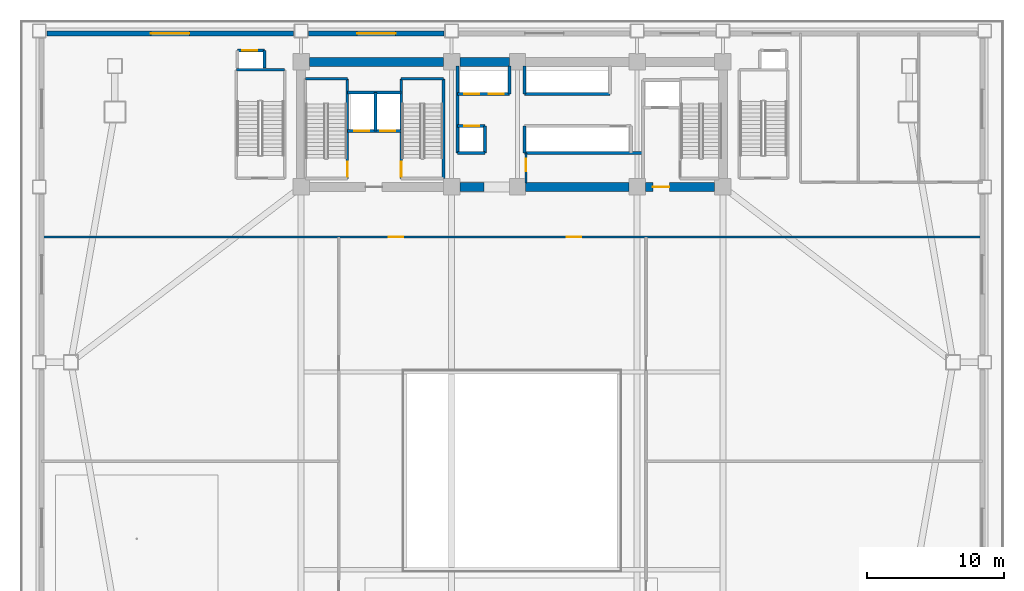
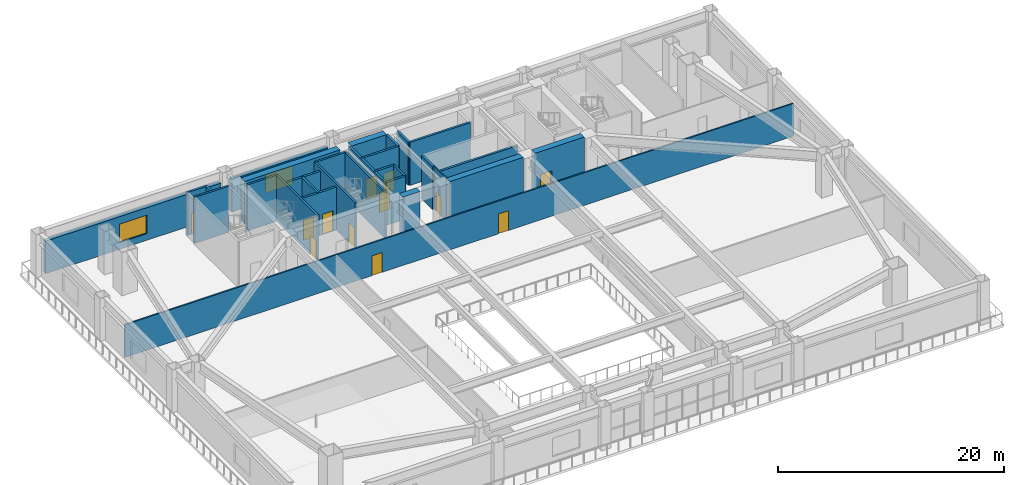
# One storey, part 7 of 14: 30 walls, 12 doors, 2 windows, 14 openings.
"""IFC4 building model written with IfcOpenShell, lengths in metres."""

from ifc_helpers import new_model, si_unit, direction, frame, frame_2d, origin, place, context, subcontext, project, spatial, rectangle, extrude, source, transform, mapped, material, layer, layer_set, type_object, element, fill, save


model = new_model("IFC4")

# Units and contexts
model_context = context("Model", 3, precision=1e-05, world=origin(), true_north=direction((0.0, 1.0)))
body_context = subcontext(model_context, "Body", "Model", "MODEL_VIEW")
ifc_project = project(units=[si_unit("LENGTHUNIT", "METRE"), si_unit("AREAUNIT", "SQUARE_METRE"), si_unit("VOLUMEUNIT", "CUBIC_METRE"), si_unit("PLANEANGLEUNIT", "RADIAN"), si_unit("MASSUNIT", "GRAM", prefix="KILO")], contexts=[model_context])

# Site, building, storey
site_placement = place(None, origin())
site = spatial("IfcSite", under=ifc_project, at=site_placement, CompositionType="ELEMENT")
building_placement = place(site_placement, origin())
building = spatial("IfcBuilding", under=site, at=building_placement, Name="Giltprow Tower", CompositionType="ELEMENT")
storey_placement = place(building_placement, frame((0.0, 0.0, 15.199951171875)))
storey = spatial("IfcBuildingStorey", under=building, at=storey_placement, Name="L04", CompositionType="ELEMENT", Elevation=15.199951171875)

# Wall, opening, window
ifc_material_1 = material(Name="Precast concrete C40", Category="concrete")
ifc_layer_1 = layer(ifc_material_1, 0.360107421875, Name="Precast concrete C40")
ifc_layer_set_1 = layer_set([ifc_layer_1], Name="Precast concrete C40")
wall_type_1 = type_object("IfcWallType", Name="EW-POD-STONE-360", PredefinedType="SOLIDWALL", material=ifc_layer_set_1)
wall_1_placement = place(storey_placement, frame((1.35009765625, 48.6201171875, 0.0), z_axis=(0.0, 0.0, 1.0), x_axis=(1.0, 0.0, 0.0)))
wall_1 = element("IfcWall", 1, at=wall_1_placement, inside=storey, type_object=wall_type_1, Name="L04 North Podium Masonry Wall 1", PredefinedType="SOLIDWALL", context=body_context, shape_type="SweptSolid", body=[
    extrude(rectangle(XDim=17.949951171875, YDim=0.360107421875, at=frame_2d((8.97509765625, 0.0))), origin(), (0.0, 0.0, 1.0), 3.530029296875),
])
opening_1_placement = place(wall_1_placement, frame((7.574951171875, 0.0, 0.719970703125)))
opening_1 = element("IfcOpeningElement", 2, at=opening_1_placement, cuts=wall_1, Name="Opening WN31", PredefinedType="OPENING", context=body_context, shape_type="SweptSolid", body=[
    extrude(rectangle(XDim=2.800048828125, YDim=2.0, at=frame_2d((1.39990234375, 1.0))), frame((0.0, 0.18994140625, 0.0), z_axis=(0.0, -1.0, 0.0), x_axis=(1.0, 0.0, 0.0)), (0.0, 0.0, 1.0), 0.380126953125),
])
ifc_material_2 = material(Name="Insulated glass", Category="glass")
window_type = type_object("IfcWindowType", Name="WN-POD-2800x2000", PartitioningType="SINGLE_PANEL", PredefinedType="WINDOW", material=ifc_material_2)
shared_shape_1 = source(origin(), body_context, "Body", "SweptSolid", [
    extrude(rectangle(XDim=2.800048828125, YDim=2.0, at=frame_2d((1.39990234375, 1.0))), frame((0.0, 0.030029296875, 0.0), z_axis=(0.0, -1.0, 0.0), x_axis=(1.0, 0.0, 0.0)), (0.0, 0.0, 1.0), 0.06005859375),
])
window_1_placement = place(opening_1_placement, origin())
window_1 = element("IfcWindow", 3, at=window_1_placement, inside=storey, type_object=window_type, Name="L04 Podium North Window 1", OverallHeight=2.0, OverallWidth=2.800048828125, PartitioningType="SINGLE_PANEL", PredefinedType="WINDOW", context=body_context, shape_type="MappedRepresentation", body=[
    mapped(shared_shape_1, transform((0.0, 0.0, 0.0), x_axis=(1.0, 0.0, 0.0), y_axis=(0.0, 1.0, 0.0), z_axis=(0.0, 0.0, 1.0), scale=1.0)),
])
fill(opening_1, window_1)

wall_2_placement = place(storey_placement, frame((20.39990234375, 48.6201171875, 0.0), z_axis=(0.0, 0.0, 1.0), x_axis=(1.0, 0.0, 0.0)))
wall_2 = element("IfcWall", 4, at=wall_2_placement, inside=storey, type_object=wall_type_1, Name="L04 North Podium Masonry Wall 2", PredefinedType="SOLIDWALL", context=body_context, shape_type="SweptSolid", body=[
    extrude(rectangle(XDim=9.85009765625, YDim=0.360107421875, at=frame_2d((4.925048828125, 0.0))), origin(), (0.0, 0.0, 1.0), 3.530029296875),
])
opening_2_placement = place(wall_2_placement, frame((3.52490234375, 0.0, 0.719970703125)))
opening_2 = element("IfcOpeningElement", 5, at=opening_2_placement, cuts=wall_2, Name="Opening WN31", PredefinedType="OPENING", context=body_context, shape_type="SweptSolid", body=[
    extrude(rectangle(XDim=2.800048828125, YDim=2.0, at=frame_2d((1.39990234375, 1.0))), frame((0.0, 0.18994140625, 0.0), z_axis=(0.0, -1.0, 0.0), x_axis=(1.0, 0.0, 0.0)), (0.0, 0.0, 1.0), 0.380126953125),
])
window_2_placement = place(opening_2_placement, origin())
window_2 = element("IfcWindow", 6, at=window_2_placement, inside=storey, type_object=window_type, Name="L04 Podium North Window 2", OverallHeight=2.0, OverallWidth=2.800048828125, PartitioningType="SINGLE_PANEL", PredefinedType="WINDOW", context=body_context, shape_type="MappedRepresentation", body=[
    mapped(shared_shape_1, transform((0.0, 0.0, 0.0), x_axis=(1.0, 0.0, 0.0), y_axis=(0.0, 1.0, 0.0), z_axis=(0.0, 0.0, 1.0), scale=1.0)),
])
fill(opening_2, window_2)

# Wall, openings, doors
ifc_material_3 = material(Name="Gypsum stud partition", Category="gypsum")
ifc_layer_2 = layer(ifc_material_3, 0.14990234375, Name="Gypsum stud partition")
ifc_layer_set_2 = layer_set([ifc_layer_2], Name="Gypsum stud partition")
wall_type_2 = type_object("IfcWallType", Name="IW-CORR-150", PredefinedType="PARTITIONING", material=ifc_layer_set_2)
wall_3_placement = place(storey_placement, frame((0.97998046875, 33.800048828125, 0.0), z_axis=(0.0, 0.0, 1.0), x_axis=(1.0, 0.0, 0.0)))
wall_3 = element("IfcWall", 7, at=wall_3_placement, inside=storey, type_object=wall_type_2, Name="L04 Podium North Concourse Wall", PredefinedType="PARTITIONING", context=body_context, shape_type="SweptSolid", body=[
    extrude(rectangle(XDim=68.43994140625, YDim=0.14990234375, at=frame_2d((34.219970703125, 0.0))), origin(), (0.0, 0.0, 1.0), 3.53515625),
])
opening_3_placement = place(wall_3_placement, frame((25.27001953125, 0.0, 0.0)))
opening_3 = element("IfcOpeningElement", 8, at=opening_3_placement, cuts=wall_3, Name="Opening ID31", PredefinedType="OPENING", context=body_context, shape_type="SweptSolid", body=[
    extrude(rectangle(XDim=1.050048828125, YDim=2.14990234375, at=frame_2d((0.52490234375, 1.074951171875))), frame((0.0, 0.0849609375, 0.0), z_axis=(0.0, -1.0, 0.0), x_axis=(1.0, 0.0, 0.0)), (0.0, 0.0, 1.0), 0.169921875),
])
opening_4_placement = place(wall_3_placement, frame((38.219970703125, 0.0, 0.0)))
opening_4 = element("IfcOpeningElement", 9, at=opening_4_placement, cuts=wall_3, Name="Opening ID31", PredefinedType="OPENING", context=body_context, shape_type="SweptSolid", body=[
    extrude(rectangle(XDim=1.050048828125, YDim=2.14990234375, at=frame_2d((0.52490234375, 1.074951171875))), frame((0.0, 0.0849609375, 0.0), z_axis=(0.0, -1.0, 0.0), x_axis=(1.0, 0.0, 0.0)), (0.0, 0.0, 1.0), 0.169921875),
])
ifc_material_4 = material(Name="Engineered timber", Category="wood")
door_type_1 = type_object("IfcDoorType", Name="DR-SUITE-1050", OperationType="SINGLE_SWING_LEFT", PredefinedType="DOOR", material=ifc_material_4)
shared_shape_2 = source(origin(), body_context, "Body", "SweptSolid", [
    extrude(rectangle(XDim=1.050048828125, YDim=2.14990234375, at=frame_2d((0.52490234375, 1.074951171875))), frame((0.0, 0.02490234375, 0.0), z_axis=(0.0, -1.0, 0.0), x_axis=(1.0, 0.0, 0.0)), (0.0, 0.0, 1.0), 0.050048828125),
])
door_1_placement = place(opening_3_placement, origin())
door_1 = element("IfcDoor", 10, at=door_1_placement, inside=storey, type_object=door_type_1, Name="L04 Atrium Concourse North-West Fire Door", OperationType="SINGLE_SWING_RIGHT", OverallHeight=2.14990234375, OverallWidth=1.050048828125, PredefinedType="DOOR", context=body_context, shape_type="MappedRepresentation", body=[
    mapped(shared_shape_2, transform((0.0, 0.0, 0.0), x_axis=(1.0, 0.0, 0.0), y_axis=(0.0, 1.0, 0.0), z_axis=(0.0, 0.0, 1.0), scale=1.0)),
])
fill(opening_3, door_1)
door_2_placement = place(opening_4_placement, origin())
door_2 = element("IfcDoor", 11, at=door_2_placement, inside=storey, type_object=door_type_1, Name="L04 Atrium Concourse North-East Fire Door", OperationType="SINGLE_SWING_LEFT", OverallHeight=2.14990234375, OverallWidth=1.050048828125, PredefinedType="DOOR", context=body_context, shape_type="MappedRepresentation", body=[
    mapped(shared_shape_2, transform((0.0, 0.0, 0.0), x_axis=(1.0, 0.0, 0.0), y_axis=(0.0, 1.0, 0.0), z_axis=(0.0, 0.0, 1.0), scale=1.0)),
])
fill(opening_4, door_2)

ifc_material_5 = material(Name="Concrete C40", Category="concrete")
ifc_layer_3 = layer(ifc_material_5, 0.219970703125, Name="Concrete C40")
ifc_layer_set_3 = layer_set([ifc_layer_3], Name="Concrete C40")
wall_type_3 = type_object("IfcWallType", Name="IW-SHAFT-220", PredefinedType="SOLIDWALL", material=ifc_layer_set_3)
wall_4_placement = place(storey_placement, frame((23.219970703125, 41.52001953125, 0.0), z_axis=(0.0, 0.0, 1.0), x_axis=(1.0, 0.0, 0.0)))
wall_4 = element("IfcWall", 12, at=wall_4_placement, inside=storey, type_object=wall_type_3, Name="L04 FFL1 and Service Lift Front Wall", PredefinedType="SOLIDWALL", context=body_context, shape_type="SweptSolid", body=[
    extrude(rectangle(XDim=3.919921875, YDim=0.219970703125, at=frame_2d((1.9599609375, 0.0))), origin(), (0.0, 0.0, 1.0), 4.650146484375),
])
opening_5_placement = place(wall_4_placement, frame((0.5, 0.0, 0.0)))
opening_5 = element("IfcOpeningElement", 13, at=opening_5_placement, cuts=wall_4, Name="Opening LD-11", PredefinedType="OPENING", context=body_context, shape_type="SweptSolid", body=[
    extrude(rectangle(XDim=1.10009765625, YDim=2.199951171875, at=frame_2d((0.550048828125, 1.10009765625))), frame((0.0, 0.119873046875, 0.0), z_axis=(0.0, -1.0, 0.0), x_axis=(1.0, 0.0, 0.0)), (0.0, 0.0, 1.0), 0.239990234375),
])
opening_6_placement = place(wall_4_placement, frame((2.39990234375, 0.0, 0.0)))
opening_6 = element("IfcOpeningElement", 14, at=opening_6_placement, cuts=wall_4, Name="Opening LD-11", PredefinedType="OPENING", context=body_context, shape_type="SweptSolid", body=[
    extrude(rectangle(XDim=1.10009765625, YDim=2.199951171875, at=frame_2d((0.550048828125, 1.10009765625))), frame((0.0, 0.119873046875, 0.0), z_axis=(0.0, -1.0, 0.0), x_axis=(1.0, 0.0, 0.0)), (0.0, 0.0, 1.0), 0.239990234375),
])
ifc_material_6 = material(Name="Stainless steel", Category="steel")
door_type_2 = type_object("IfcDoorType", Name="DR-LIFT-LD1100", OperationType="SLIDING_TO_LEFT", PredefinedType="DOOR", material=ifc_material_6)
shared_shape_3 = source(origin(), body_context, "Body", "SweptSolid", [
    extrude(rectangle(XDim=1.10009765625, YDim=2.199951171875, at=frame_2d((0.550048828125, 1.10009765625))), frame((0.0, 0.02490234375, 0.0), z_axis=(0.0, -1.0, 0.0), x_axis=(1.0, 0.0, 0.0)), (0.0, 0.0, 1.0), 0.050048828125),
])
door_3_placement = place(opening_5_placement, origin())
door_3 = element("IfcDoor", 15, at=door_3_placement, inside=storey, type_object=door_type_2, Name="L04 FFL1 Landing Door", OperationType="SLIDING_TO_LEFT", OverallHeight=2.199951171875, OverallWidth=1.10009765625, PredefinedType="DOOR", context=body_context, shape_type="MappedRepresentation", body=[
    mapped(shared_shape_3, transform((0.0, 0.0, 0.0), x_axis=(1.0, 0.0, 0.0), y_axis=(0.0, 1.0, 0.0), z_axis=(0.0, 0.0, 1.0), scale=1.0)),
])
fill(opening_5, door_3)
door_4_placement = place(opening_6_placement, origin())
door_4 = element("IfcDoor", 16, at=door_4_placement, inside=storey, type_object=door_type_2, Name="L04 SVL1 Landing Door", OperationType="SLIDING_TO_LEFT", OverallHeight=2.199951171875, OverallWidth=1.10009765625, PredefinedType="DOOR", context=body_context, shape_type="MappedRepresentation", body=[
    mapped(shared_shape_3, transform((0.0, 0.0, 0.0), x_axis=(1.0, 0.0, 0.0), y_axis=(0.0, 1.0, 0.0), z_axis=(0.0, 0.0, 1.0), scale=1.0)),
])
fill(opening_6, door_4)

# Walls
wall_5_placement = place(storey_placement, frame((25.260009765625, 41.52001953125, 0.0), z_axis=(0.0, 0.0, 1.0), x_axis=(0.0, 1.0, 0.0)))
element("IfcWall", 17, at=wall_5_placement, inside=storey, type_object=wall_type_3, Name="L04 FFL1-SVL1 Shaft Divider", PredefinedType="SOLIDWALL", context=body_context, shape_type="SweptSolid", body=[
    extrude(rectangle(XDim=2.800048828125, YDim=0.219970703125, at=frame_2d((1.39990234375, 0.0))), origin(), (0.0, 0.0, 1.0), 4.650146484375),
])
wall_6_placement = place(storey_placement, frame((23.219970703125, 44.320068359375, 0.0), z_axis=(0.0, 0.0, 1.0), x_axis=(1.0, 0.0, 0.0)))
element("IfcWall", 18, at=wall_6_placement, inside=storey, type_object=wall_type_3, Name="L04 FFL1-SVL1 Back Shaft Wall", PredefinedType="SOLIDWALL", context=body_context, shape_type="SweptSolid", body=[
    extrude(rectangle(XDim=3.919921875, YDim=0.219970703125, at=frame_2d((1.9599609375, 0.0))), origin(), (0.0, 0.0, 1.0), 4.650146484375),
])

# Wall, opening, door
wall_7_placement = place(storey_placement, frame((15.22998046875, 47.3798828125, 0.0), z_axis=(0.0, 0.0, 1.0), x_axis=(1.0, 0.0, 0.0)))
wall_7 = element("IfcWall", 19, at=wall_7_placement, inside=storey, type_object=wall_type_3, Name="L04 PL-P1 Front Wall", PredefinedType="SOLIDWALL", context=body_context, shape_type="SweptSolid", body=[
    extrude(rectangle(XDim=1.9599609375, YDim=0.219970703125, at=frame_2d((0.97998046875, 0.0))), origin(), (0.0, 0.0, 1.0), 4.650146484375),
])
opening_7_placement = place(wall_7_placement, frame((0.35009765625, 0.0, 0.0)))
opening_7 = element("IfcOpeningElement", 20, at=opening_7_placement, cuts=wall_7, Name="Opening LD-11", PredefinedType="OPENING", context=body_context, shape_type="SweptSolid", body=[
    extrude(rectangle(XDim=1.10009765625, YDim=2.199951171875, at=frame_2d((0.550048828125, 1.10009765625))), frame((0.0, 0.119873046875, 0.0), z_axis=(0.0, -1.0, 0.0), x_axis=(1.0, 0.0, 0.0)), (0.0, 0.0, 1.0), 0.239990234375),
])
door_5_placement = place(opening_7_placement, origin())
door_5 = element("IfcDoor", 21, at=door_5_placement, inside=storey, type_object=door_type_2, Name="L04 PL-P1 Landing Door", OperationType="SLIDING_TO_LEFT", OverallHeight=2.199951171875, OverallWidth=1.10009765625, PredefinedType="DOOR", context=body_context, shape_type="MappedRepresentation", body=[
    mapped(shared_shape_3, transform((0.0, 0.0, 0.0), x_axis=(1.0, 0.0, 0.0), y_axis=(0.0, 1.0, 0.0), z_axis=(0.0, 0.0, 1.0), scale=1.0)),
])
fill(opening_7, door_5)

# Wall
wall_8_placement = place(storey_placement, frame((17.18994140625, 46.090087890625, 0.0), z_axis=(0.0, 0.0, 1.0), x_axis=(0.0, 1.0, 0.0)))
element("IfcWall", 22, at=wall_8_placement, inside=storey, type_object=wall_type_3, Name="L04 PL-P1 East Shaft Wall", PredefinedType="SOLIDWALL", context=body_context, shape_type="SweptSolid", body=[
    extrude(rectangle(XDim=1.289794921875, YDim=0.219970703125, at=frame_2d((0.64501953125, 0.0))), origin(), (0.0, 0.0, 1.0), 4.650146484375),
])

# Wall, openings, doors
wall_9_placement = place(storey_placement, frame((31.25, 44.219970703125, 0.0), z_axis=(0.0, 0.0, 1.0), x_axis=(1.0, 0.0, 0.0)))
wall_9 = element("IfcWall", 23, at=wall_9_placement, inside=storey, type_object=wall_type_3, Name="L04 North West Lift Shaft Front Wall", PredefinedType="SOLIDWALL", context=body_context, shape_type="SweptSolid", body=[
    extrude(rectangle(XDim=3.77001953125, YDim=0.219970703125, at=frame_2d((1.885009765625, 0.0))), origin(), (0.0, 0.0, 1.0), 4.650146484375),
])
opening_8_placement = place(wall_9_placement, frame((0.4599609375, 0.0, 0.0)))
opening_8 = element("IfcOpeningElement", 24, at=opening_8_placement, cuts=wall_9, Name="Opening LD-11", PredefinedType="OPENING", context=body_context, shape_type="SweptSolid", body=[
    extrude(rectangle(XDim=1.10009765625, YDim=2.199951171875, at=frame_2d((0.550048828125, 1.10009765625))), frame((0.0, 0.119873046875, 0.0), z_axis=(0.0, -1.0, 0.0), x_axis=(1.0, 0.0, 0.0)), (0.0, 0.0, 1.0), 0.239990234375),
])
opening_9_placement = place(wall_9_placement, frame((2.239990234375, 0.0, 0.0)))
opening_9 = element("IfcOpeningElement", 25, at=opening_9_placement, cuts=wall_9, Name="Opening LD-11", PredefinedType="OPENING", context=body_context, shape_type="SweptSolid", body=[
    extrude(rectangle(XDim=1.10009765625, YDim=2.199951171875, at=frame_2d((0.550048828125, 1.10009765625))), frame((0.0, 0.119873046875, 0.0), z_axis=(0.0, -1.0, 0.0), x_axis=(1.0, 0.0, 0.0)), (0.0, 0.0, 1.0), 0.239990234375),
])
door_6_placement = place(opening_8_placement, origin())
door_6 = element("IfcDoor", 26, at=door_6_placement, inside=storey, type_object=door_type_2, Name="L04 PL-L1 Landing Door", OperationType="SLIDING_TO_LEFT", OverallHeight=2.199951171875, OverallWidth=1.10009765625, PredefinedType="DOOR", context=body_context, shape_type="MappedRepresentation", body=[
    mapped(shared_shape_3, transform((0.0, 0.0, 0.0), x_axis=(1.0, 0.0, 0.0), y_axis=(0.0, 1.0, 0.0), z_axis=(0.0, 0.0, 1.0), scale=1.0)),
])
fill(opening_8, door_6)
door_7_placement = place(opening_9_placement, origin())
door_7 = element("IfcDoor", 27, at=door_7_placement, inside=storey, type_object=door_type_2, Name="L04 PL-L2 Landing Door", OperationType="SLIDING_TO_LEFT", OverallHeight=2.199951171875, OverallWidth=1.10009765625, PredefinedType="DOOR", context=body_context, shape_type="MappedRepresentation", body=[
    mapped(shared_shape_3, transform((0.0, 0.0, 0.0), x_axis=(1.0, 0.0, 0.0), y_axis=(0.0, 1.0, 0.0), z_axis=(0.0, 0.0, 1.0), scale=1.0)),
])
fill(opening_9, door_7)

# Walls
wall_10_placement = place(storey_placement, frame((36.1201171875, 44.219970703125, 0.0), z_axis=(0.0, 0.0, 1.0), x_axis=(1.0, 0.0, 0.0)))
element("IfcWall", 28, at=wall_10_placement, inside=storey, type_object=wall_type_3, Name="L04 North East Lift Shaft Front Wall", PredefinedType="SOLIDWALL", context=body_context, shape_type="SweptSolid", body=[
    extrude(rectangle(XDim=6.199951171875, YDim=0.219970703125, at=frame_2d((3.10009765625, 0.0))), origin(), (0.0, 0.0, 1.0), 4.650146484375),
])
for number, where, z_axis, x_axis, name in (
    (29, (35.02001953125, 44.219970703125, 0.0), (0.0, 0.0, 1.0), (0.0, 1.0, 0.0), "L04 North West Lift Shaft East Closure"),
    (30, (36.1201171875, 44.219970703125, 0.0), (0.0, 0.0, 1.0), (0.0, 1.0, 0.0), "L04 North East Lift Shaft West Closure"),
):
    element("IfcWall", number, at=place(storey_placement, frame(where, z_axis=z_axis, x_axis=x_axis)), inside=storey, type_object=wall_type_3, Name=name, PredefinedType="SOLIDWALL", context=body_context, shape_type="SweptSolid", body=[
        extrude(rectangle(XDim=2.025146484375, YDim=0.219970703125, at=frame_2d((1.0126953125, 0.0))), origin(), (0.0, 0.0, 1.0), 4.650146484375),
    ])

# Wall, opening, door
wall_11_placement = place(storey_placement, frame((31.25, 41.8798828125, 0.0), z_axis=(0.0, 0.0, 1.0), x_axis=(1.0, 0.0, 0.0)))
wall_11 = element("IfcWall", 31, at=wall_11_placement, inside=storey, type_object=wall_type_3, Name="L04 South West Lift Shaft Front Wall", PredefinedType="SOLIDWALL", context=body_context, shape_type="SweptSolid", body=[
    extrude(rectangle(XDim=1.969970703125, YDim=0.219970703125, at=frame_2d((0.98486328125, 0.0))), origin(), (0.0, 0.0, 1.0), 4.650146484375),
])
opening_10_placement = place(wall_11_placement, frame((0.4599609375, 0.0, 0.0)))
opening_10 = element("IfcOpeningElement", 32, at=opening_10_placement, cuts=wall_11, Name="Opening LD-11", PredefinedType="OPENING", context=body_context, shape_type="SweptSolid", body=[
    extrude(rectangle(XDim=1.10009765625, YDim=2.199951171875, at=frame_2d((0.550048828125, 1.10009765625))), frame((0.0, 0.119873046875, 0.0), z_axis=(0.0, -1.0, 0.0), x_axis=(1.0, 0.0, 0.0)), (0.0, 0.0, 1.0), 0.239990234375),
])
door_8_placement = place(opening_10_placement, origin())
door_8 = element("IfcDoor", 33, at=door_8_placement, inside=storey, type_object=door_type_2, Name="L04 PL-L3 Landing Door", OperationType="SLIDING_TO_LEFT", OverallHeight=2.199951171875, OverallWidth=1.10009765625, PredefinedType="DOOR", context=body_context, shape_type="MappedRepresentation", body=[
    mapped(shared_shape_3, transform((0.0, 0.0, 0.0), x_axis=(1.0, 0.0, 0.0), y_axis=(0.0, 1.0, 0.0), z_axis=(0.0, 0.0, 1.0), scale=1.0)),
])
fill(opening_10, door_8)

# Walls
wall_12_placement = place(storey_placement, frame((31.25, 39.919921875, 0.0), z_axis=(0.0, 0.0, 1.0), x_axis=(1.0, 0.0, 0.0)))
element("IfcWall", 34, at=wall_12_placement, inside=storey, type_object=wall_type_3, Name="L04 Low-Rise South Lift Back Wall", PredefinedType="SOLIDWALL", context=body_context, shape_type="SweptSolid", body=[
    extrude(rectangle(XDim=1.969970703125, YDim=0.219970703125, at=frame_2d((0.98486328125, 0.0))), origin(), (0.0, 0.0, 1.0), 4.650146484375),
])
wall_13_placement = place(storey_placement, frame((33.219970703125, 39.919921875, 0.0), z_axis=(0.0, 0.0, 1.0), x_axis=(0.0, 1.0, 0.0)))
element("IfcWall", 35, at=wall_13_placement, inside=storey, type_object=wall_type_3, Name="L04 Low-Rise South Lift East Closure", PredefinedType="SOLIDWALL", context=body_context, shape_type="SweptSolid", body=[
    extrude(rectangle(XDim=1.9599609375, YDim=0.219970703125, at=frame_2d((0.97998046875, 0.0))), origin(), (0.0, 0.0, 1.0), 4.650146484375),
])
wall_14_placement = place(storey_placement, frame((36.1201171875, 39.919921875, 0.0), z_axis=(0.0, 0.0, 1.0), x_axis=(1.0, 0.0, 0.0)))
element("IfcWall", 36, at=wall_14_placement, inside=storey, type_object=wall_type_3, Name="L04 Express South Shaft Back Wall", PredefinedType="SOLIDWALL", context=body_context, shape_type="SweptSolid", body=[
    extrude(rectangle(XDim=8.599853515625, YDim=0.219970703125, at=frame_2d((4.2998046875, 0.0))), origin(), (0.0, 0.0, 1.0), 3.93505859375),
])
wall_15_placement = place(storey_placement, frame((36.1201171875, 39.919921875, 0.0), z_axis=(0.0, 0.0, 1.0), x_axis=(0.0, 1.0, 0.0)))
element("IfcWall", 37, at=wall_15_placement, inside=storey, type_object=wall_type_3, Name="L04 Express South Shaft West Closure", PredefinedType="SOLIDWALL", context=body_context, shape_type="SweptSolid", body=[
    extrude(rectangle(XDim=1.9599609375, YDim=0.219970703125, at=frame_2d((0.97998046875, 0.0))), origin(), (0.0, 0.0, 1.0), 4.650146484375),
])
wall_16_placement = place(storey_placement, frame((31.25, 39.919921875, 0.0), z_axis=(0.0, 0.0, 1.0), x_axis=(0.0, 1.0, 0.0)))
element("IfcWall", 38, at=wall_16_placement, inside=storey, type_object=wall_type_3, Name="L04 Lift Bank West Closure", PredefinedType="SOLIDWALL", context=body_context, shape_type="SweptSolid", body=[
    extrude(rectangle(XDim=6.3251953125, YDim=0.219970703125, at=frame_2d((3.16259765625, 0.0))), origin(), (0.0, 0.0, 1.0), 4.650146484375),
])

# Wall, opening, door
ifc_layer_4 = layer(ifc_material_5, 0.199951171875, Name="Concrete C40")
ifc_layer_set_4 = layer_set([ifc_layer_4], Name="Concrete C40")
wall_type_4 = type_object("IfcWallType", Name="IW-STAIR-200", PredefinedType="SOLIDWALL", material=ifc_layer_set_4)
wall_17_placement = place(storey_placement, frame((23.219970703125, 38.070068359375, 0.0), z_axis=(0.0, 0.0, 1.0), x_axis=(0.0, 1.0, 0.0)))
wall_17 = element("IfcWall", 39, at=wall_17_placement, inside=storey, type_object=wall_type_4, Name="L04 Stair ST-1 East Bearing Wall", PredefinedType="SOLIDWALL", context=body_context, shape_type="SweptSolid", body=[
    extrude(rectangle(XDim=7.25, YDim=0.199951171875, at=frame_2d((3.625, 0.0))), origin(), (0.0, 0.0, 1.0), 5.0),
])
opening_11_placement = place(wall_17_placement, frame((0.110107421875, 0.0, 0.0)))
opening_11 = element("IfcOpeningElement", 40, at=opening_11_placement, cuts=wall_17, Name="Opening ID33", PredefinedType="OPENING", context=body_context, shape_type="SweptSolid", body=[
    extrude(rectangle(XDim=1.10009765625, YDim=2.14990234375, at=frame_2d((0.550048828125, 1.074951171875))), frame((0.0, 0.10986328125, 0.0), z_axis=(0.0, -1.0, 0.0), x_axis=(1.0, 0.0, 0.0)), (0.0, 0.0, 1.0), 0.219970703125),
])
ifc_material_7 = material(Name="Steel fire leaf", Category="steel")
door_type_3 = type_object("IfcDoorType", Name="DR-STAIR-1100", OperationType="SINGLE_SWING_LEFT", PredefinedType="DOOR", material=ifc_material_7)
shared_shape_4 = source(origin(), body_context, "Body", "SweptSolid", [
    extrude(rectangle(XDim=1.10009765625, YDim=2.14990234375, at=frame_2d((0.550048828125, 1.074951171875))), frame((0.0, 0.02490234375, 0.0), z_axis=(0.0, -1.0, 0.0), x_axis=(1.0, 0.0, 0.0)), (0.0, 0.0, 1.0), 0.050048828125),
])
door_9_placement = place(opening_11_placement, origin())
door_9 = element("IfcDoor", 41, at=door_9_placement, inside=storey, type_object=door_type_3, Name="L04 Stair ST-1 Fire Door", OperationType="SINGLE_SWING_RIGHT", OverallHeight=2.14990234375, OverallWidth=1.10009765625, PredefinedType="DOOR", context=body_context, shape_type="MappedRepresentation", body=[
    mapped(shared_shape_4, transform((0.0, 0.0, 0.0), x_axis=(1.0, 0.0, 0.0), y_axis=(0.0, 1.0, 0.0), z_axis=(0.0, 0.0, 1.0), scale=1.0)),
])
fill(opening_11, door_9)

# Wall
wall_18_placement = place(storey_placement, frame((20.169921875, 45.320068359375, 0.0), z_axis=(0.0, 0.0, 1.0), x_axis=(1.0, 0.0, 0.0)))
element("IfcWall", 42, at=wall_18_placement, inside=storey, type_object=wall_type_4, Name="L04 Stair ST-1 North Bearing Wall", PredefinedType="SOLIDWALL", context=body_context, shape_type="SweptSolid", body=[
    extrude(rectangle(XDim=3.050048828125, YDim=0.199951171875, at=frame_2d((1.52490234375, 0.0))), origin(), (0.0, 0.0, 1.0), 5.0),
])

# Wall, opening, door
wall_19_placement = place(storey_placement, frame((27.139892578125, 38.070068359375, 0.0), z_axis=(0.0, 0.0, 1.0), x_axis=(0.0, 1.0, 0.0)))
wall_19 = element("IfcWall", 43, at=wall_19_placement, inside=storey, type_object=wall_type_4, Name="L04 Stair ST-2 West Bearing Wall", PredefinedType="SOLIDWALL", context=body_context, shape_type="SweptSolid", body=[
    extrude(rectangle(XDim=7.25, YDim=0.199951171875, at=frame_2d((3.625, 0.0))), origin(), (0.0, 0.0, 1.0), 5.0),
])
opening_12_placement = place(wall_19_placement, frame((0.110107421875, 0.0, 0.0)))
opening_12 = element("IfcOpeningElement", 44, at=opening_12_placement, cuts=wall_19, Name="Opening ID33", PredefinedType="OPENING", context=body_context, shape_type="SweptSolid", body=[
    extrude(rectangle(XDim=1.10009765625, YDim=2.14990234375, at=frame_2d((0.550048828125, 1.074951171875))), frame((0.0, 0.10986328125, 0.0), z_axis=(0.0, -1.0, 0.0), x_axis=(1.0, 0.0, 0.0)), (0.0, 0.0, 1.0), 0.219970703125),
])
door_10_placement = place(opening_12_placement, origin())
door_10 = element("IfcDoor", 45, at=door_10_placement, inside=storey, type_object=door_type_3, Name="L04 Stair ST-2 Fire Door", OperationType="SINGLE_SWING_LEFT", OverallHeight=2.14990234375, OverallWidth=1.10009765625, PredefinedType="DOOR", context=body_context, shape_type="MappedRepresentation", body=[
    mapped(shared_shape_4, transform((0.0, 0.0, 0.0), x_axis=(1.0, 0.0, 0.0), y_axis=(0.0, 1.0, 0.0), z_axis=(0.0, 0.0, 1.0), scale=1.0)),
])
fill(opening_12, door_10)

# Walls
wall_20_placement = place(storey_placement, frame((30.219970703125, 38.070068359375, 0.0), z_axis=(0.0, 0.0, 1.0), x_axis=(0.0, 1.0, 0.0)))
element("IfcWall", 46, at=wall_20_placement, inside=storey, type_object=wall_type_4, Name="L04 Stair ST-2 East Bearing Wall", PredefinedType="SOLIDWALL", context=body_context, shape_type="SweptSolid", body=[
    extrude(rectangle(XDim=7.25, YDim=0.199951171875, at=frame_2d((3.625, 0.0))), origin(), (0.0, 0.0, 1.0), 5.0),
])
wall_21_placement = place(storey_placement, frame((27.139892578125, 45.320068359375, 0.0), z_axis=(0.0, 0.0, 1.0), x_axis=(1.0, 0.0, 0.0)))
element("IfcWall", 47, at=wall_21_placement, inside=storey, type_object=wall_type_4, Name="L04 Stair ST-2 North Bearing Wall", PredefinedType="SOLIDWALL", context=body_context, shape_type="SweptSolid", body=[
    extrude(rectangle(XDim=3.080078125, YDim=0.199951171875, at=frame_2d((1.5400390625, 0.0))), origin(), (0.0, 0.0, 1.0), 5.0),
])
wall_22_placement = place(storey_placement, frame((15.139892578125, 45.97998046875, 0.0), z_axis=(0.0, 0.0, 1.0), x_axis=(1.0, 0.0, 0.0)))
element("IfcWall", 48, at=wall_22_placement, inside=storey, type_object=wall_type_4, Name="L04 Podium Stair ST-P1 North Bearing Wall", PredefinedType="SOLIDWALL", context=body_context, shape_type="SweptSolid", body=[
    extrude(rectangle(XDim=3.52001953125, YDim=0.199951171875, at=frame_2d((1.760009765625, 0.0))), origin(), (0.0, 0.0, 1.0), 5.0),
])

# Wall, opening, door
ifc_material_8 = material(Name="Concrete C30", Category="concrete")
ifc_layer_5 = layer(ifc_material_8, 0.1298828125, Name="Concrete C30")
ifc_layer_set_5 = layer_set([ifc_layer_5], Name="Concrete C30")
wall_type_5 = type_object("IfcWallType", Name="IW-WET-130", PredefinedType="PARTITIONING", material=ifc_layer_set_5)
wall_23_placement = place(storey_placement, frame((36.219970703125, 37.7548828125, 0.0), z_axis=(0.0, 0.0, 1.0), x_axis=(0.0, 1.0, 0.0)))
wall_23 = element("IfcWall", 49, at=wall_23_placement, inside=storey, type_object=wall_type_5, Name="L04 Core Suite West Wall", PredefinedType="PARTITIONING", context=body_context, shape_type="SweptSolid", body=[
    extrude(rectangle(XDim=2.1650390625, YDim=0.1298828125, at=frame_2d((1.08251953125, 0.0))), origin(), (0.0, 0.0, 1.0), 4.650146484375),
])
opening_13_placement = place(wall_23_placement, frame((0.85498046875, 0.0, 0.0)))
opening_13 = element("IfcOpeningElement", 50, at=opening_13_placement, cuts=wall_23, Name="Opening ID35", PredefinedType="OPENING", context=body_context, shape_type="SweptSolid", body=[
    extrude(rectangle(XDim=0.89990234375, YDim=2.10009765625, at=frame_2d((0.449951171875, 1.050048828125))), frame((0.0, 0.074951171875, 0.0), z_axis=(0.0, -1.0, 0.0), x_axis=(1.0, 0.0, 0.0)), (0.0, 0.0, 1.0), 0.14990234375),
])
door_type_4 = type_object("IfcDoorType", Name="DR-SHAFT-900", OperationType="SINGLE_SWING_LEFT", PredefinedType="DOOR", material=ifc_material_7)
shared_shape_5 = source(origin(), body_context, "Body", "SweptSolid", [
    extrude(rectangle(XDim=0.89990234375, YDim=2.10009765625, at=frame_2d((0.449951171875, 1.050048828125))), frame((0.0, 0.02490234375, 0.0), z_axis=(0.0, -1.0, 0.0), x_axis=(1.0, 0.0, 0.0)), (0.0, 0.0, 1.0), 0.050048828125),
])
door_11_placement = place(opening_13_placement, origin())
door_11 = element("IfcDoor", 51, at=door_11_placement, inside=storey, type_object=door_type_4, Name="L04 Core Staff Washroom Door", OperationType="SINGLE_SWING_RIGHT", OverallHeight=2.10009765625, OverallWidth=0.89990234375, PredefinedType="DOOR", context=body_context, shape_type="MappedRepresentation", body=[
    mapped(shared_shape_5, transform((0.0, 0.0, 0.0), x_axis=(1.0, 0.0, 0.0), y_axis=(0.0, 1.0, 0.0), z_axis=(0.0, 0.0, 1.0), scale=1.0)),
])
fill(opening_13, door_11)

# Walls
ifc_material_9 = material(Name="Concrete C60", Category="concrete")
ifc_layer_6 = layer(ifc_material_9, 0.64990234375, Name="Concrete C60")
ifc_layer_set_6 = layer_set([ifc_layer_6], Name="Concrete C60")
wall_type_6 = type_object("IfcWallType", Name="SW-INT-650-C60", PredefinedType="SHEAR", material=ifc_layer_set_6)
wall_24_placement = place(storey_placement, frame((20.449951171875, 46.550048828125, 0.0), z_axis=(0.0, 0.0, 1.0), x_axis=(1.0, 0.0, 0.0)))
element("IfcWall", 52, at=wall_24_placement, inside=storey, type_object=wall_type_6, Name="L04 North Rear Core Shear Wall 1", PredefinedType="SHEAR", context=body_context, shape_type="SweptSolid", body=[
    extrude(rectangle(XDim=9.75, YDim=0.64990234375, at=frame_2d((4.875, 0.0))), origin(), (0.0, 0.0, 1.0), 4.650146484375),
])
wall_25_placement = place(storey_placement, frame((31.39990234375, 46.550048828125, 0.0), z_axis=(0.0, 0.0, 1.0), x_axis=(1.0, 0.0, 0.0)))
element("IfcWall", 53, at=wall_25_placement, inside=storey, type_object=wall_type_6, Name="L04 North Rear Core Shear Wall 2", PredefinedType="SHEAR", context=body_context, shape_type="SweptSolid", body=[
    extrude(rectangle(XDim=3.60009765625, YDim=0.64990234375, at=frame_2d((1.800048828125, 0.0))), origin(), (0.0, 0.0, 1.0), 4.650146484375),
])
wall_26_placement = place(storey_placement, frame((31.39990234375, 37.449951171875, 0.0), z_axis=(0.0, 0.0, 1.0), x_axis=(1.0, 0.0, 0.0)))
element("IfcWall", 54, at=wall_26_placement, inside=storey, type_object=wall_type_6, Name="L04 South Rear Core Shear Wall Mid-West", PredefinedType="SHEAR", context=body_context, shape_type="SweptSolid", body=[
    extrude(rectangle(XDim=1.75, YDim=0.64990234375, at=frame_2d((0.875, 0.0))), origin(), (0.0, 0.0, 1.0), 4.650146484375),
])
wall_27_placement = place(storey_placement, frame((36.199951171875, 37.449951171875, 0.0), z_axis=(0.0, 0.0, 1.0), x_axis=(1.0, 0.0, 0.0)))
element("IfcWall", 55, at=wall_27_placement, inside=storey, type_object=wall_type_6, Name="L04 South Rear Core Shear Wall Mid-East", PredefinedType="SHEAR", context=body_context, shape_type="SweptSolid", body=[
    extrude(rectangle(XDim=7.5, YDim=0.64990234375, at=frame_2d((3.75, 0.0))), origin(), (0.0, 0.0, 1.0), 4.650146484375),
])

# Wall, opening, door
wall_28_placement = place(storey_placement, frame((44.89990234375, 37.449951171875, 0.0), z_axis=(0.0, 0.0, 1.0), x_axis=(1.0, 0.0, 0.0)))
wall_28 = element("IfcWall", 56, at=wall_28_placement, inside=storey, type_object=wall_type_6, Name="L04 South Rear Core Shear Wall East", PredefinedType="SHEAR", context=body_context, shape_type="SweptSolid", body=[
    extrude(rectangle(XDim=5.050048828125, YDim=0.64990234375, at=frame_2d((2.52490234375, 0.0))), origin(), (0.0, 0.0, 1.0), 4.650146484375),
])
opening_14_placement = place(wall_28_placement, frame((0.550048828125, 0.0, 0.0)))
opening_14 = element("IfcOpeningElement", 57, at=opening_14_placement, cuts=wall_28, Name="Opening ID19", PredefinedType="OPENING", context=body_context, shape_type="SweptSolid", body=[
    extrude(rectangle(XDim=1.199951171875, YDim=2.14990234375, at=frame_2d((0.60009765625, 1.074951171875))), frame((0.0, 0.3349609375, 0.0), z_axis=(0.0, -1.0, 0.0), x_axis=(1.0, 0.0, 0.0)), (0.0, 0.0, 1.0), 0.669921875),
])
door_type_5 = type_object("IfcDoorType", Name="DR-FFLOBBY-1200", OperationType="SINGLE_SWING_RIGHT", PredefinedType="DOOR", material=ifc_material_7)
shared_shape_6 = source(origin(), body_context, "Body", "SweptSolid", [
    extrude(rectangle(XDim=1.199951171875, YDim=2.14990234375, at=frame_2d((0.60009765625, 1.074951171875))), frame((0.0, 0.02490234375, 0.0), z_axis=(0.0, -1.0, 0.0), x_axis=(1.0, 0.0, 0.0)), (0.0, 0.0, 1.0), 0.050048828125),
])
door_12_placement = place(opening_14_placement, origin())
door_12 = element("IfcDoor", 58, at=door_12_placement, inside=storey, type_object=door_type_5, Name="L04 East Firefighting Lobby Entry Door", OperationType="SINGLE_SWING_RIGHT", OverallHeight=2.14990234375, OverallWidth=1.199951171875, PredefinedType="DOOR", context=body_context, shape_type="MappedRepresentation", body=[
    mapped(shared_shape_6, transform((0.0, 0.0, 0.0), x_axis=(1.0, 0.0, 0.0), y_axis=(0.0, 1.0, 0.0), z_axis=(0.0, 0.0, 1.0), scale=1.0)),
])
fill(opening_14, door_12)

save(model, "model.ifc")
